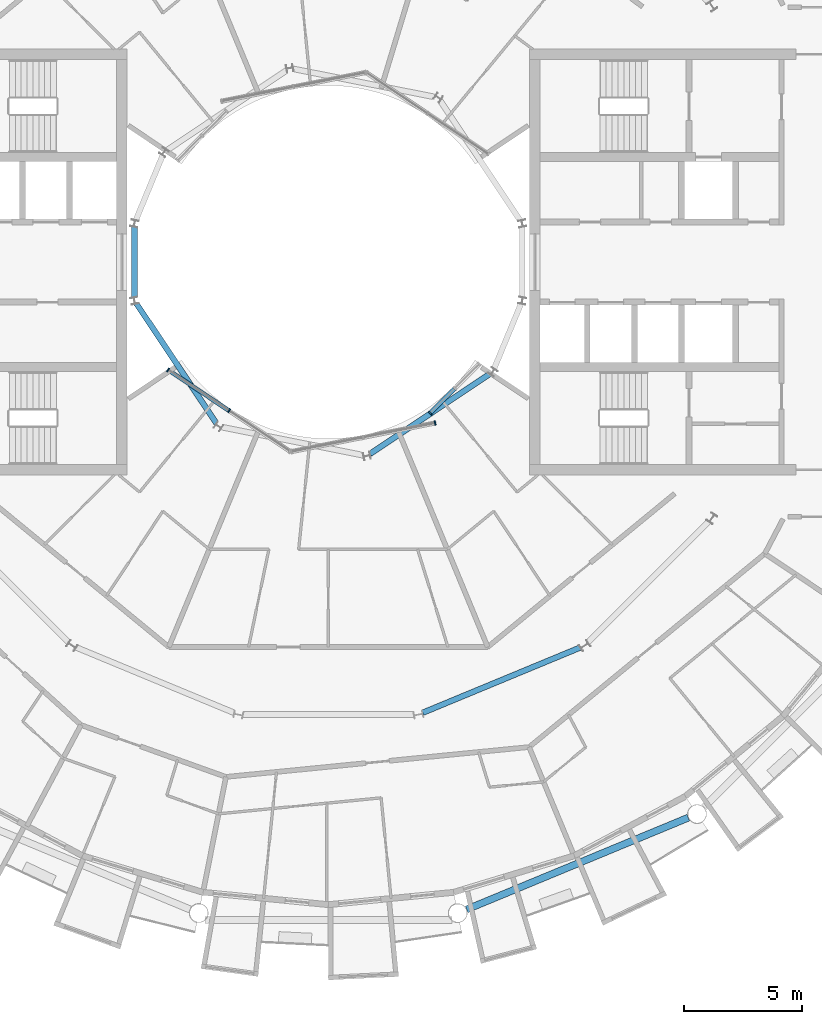
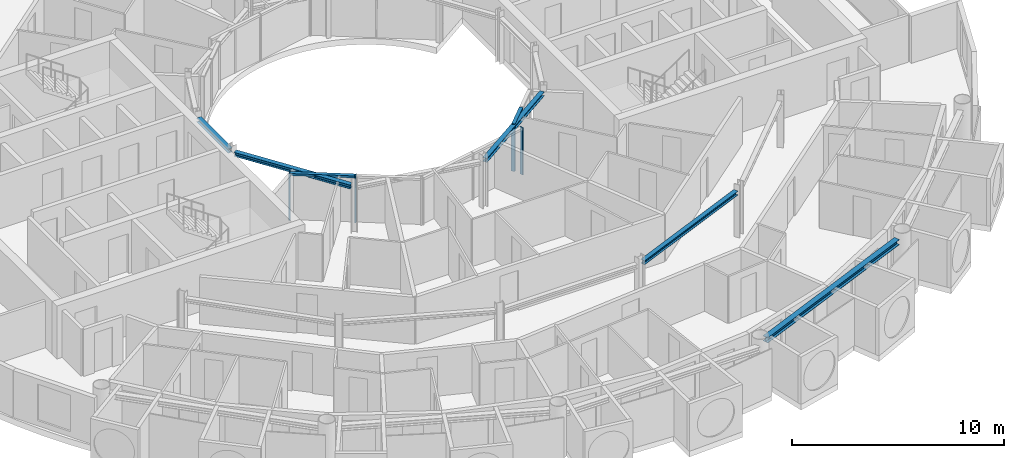
# One storey, part 7 of 29: 6 members, 5 beams, 3 elements without a shape of their own.
"""IFC4 building model written with IfcOpenShell, lengths in metres."""

from ifc_helpers import new_model, si_unit, direction, frame, origin, origin_2d, place, context, subcontext, project, spatial, rectangle, i_section, extrude, material, layer, layer_set, material_profile, profile_set, type_object, element, aggregate, save


model = new_model("IFC4")

# Units and contexts
model_context = context("Model", 3, precision=1e-05, world=origin(), true_north=direction((0.0, 1.0)))
body_context = subcontext(model_context, "Body", "Model", "MODEL_VIEW")
ifc_project = project(units=[si_unit("LENGTHUNIT", "METRE"), si_unit("AREAUNIT", "SQUARE_METRE"), si_unit("VOLUMEUNIT", "CUBIC_METRE"), si_unit("PLANEANGLEUNIT", "RADIAN"), si_unit("MASSUNIT", "GRAM", prefix="KILO")], contexts=[model_context])

# Site, building, storey
site_placement = place(None, origin())
site = spatial("IfcSite", under=ifc_project, at=site_placement, CompositionType="ELEMENT")
building_placement = place(site_placement, origin())
building = spatial("IfcBuilding", under=site, at=building_placement, Name="Maasbend Ring Residences", CompositionType="ELEMENT")
storey_placement = place(building_placement, frame((0.0, 0.0, 202.39990234375)))
storey = spatial("IfcBuildingStorey", under=building, at=storey_placement, Name="L58", CompositionType="ELEMENT", Elevation=202.39990234375)

# Curtain wall, members
ifc_material_1 = material(Name="Aluminium and clear glass", Category="aluminium")
ifc_layer = layer(ifc_material_1, 0.179931640625)
ifc_layer_set = layer_set([ifc_layer], Name="CW-W")
curtain_wall_type = type_object("IfcCurtainWallType", Name="CW-W", PredefinedType="NOTDEFINED", material=ifc_layer_set)
curtain_wall_1_placement = place(storey_placement, origin())
curtain_wall_1 = element("IfcCurtainWall", 1, at=curtain_wall_1_placement, inside=storey, type_object=curtain_wall_type, Name="Well curtain wall S1", PredefinedType="NOTDEFINED")
ifc_material_2 = material(Name="Aluminium 6063-T6", Category="aluminium")
ifc_material_profile_1 = material_profile(ifc_material_2, rectangle(XDim=0.179931640625, YDim=0.06005859375, at=origin_2d()), Name="AL 180x60")
ifc_profile_set_1 = profile_set([ifc_material_profile_1], Name="Aluminium 6063-T6")
member_type_1 = type_object("IfcMemberType", Name="CWM-W", PredefinedType="MULLION", material=ifc_profile_set_1)
member_1_placement = place(storey_placement, frame((-6.805908203125, -4.580810546875, 0.0), z_axis=(0.0, 0.0, 1.0), x_axis=(0.55557023302, 0.831469612303, 0.0)))
member_1 = element("IfcMember", 2, at=member_1_placement, type_object=member_type_1, Name="Mullion well face", PredefinedType="MULLION", context=body_context, shape_type="SweptSolid", body=[
    extrude(rectangle(XDim=0.179931640625, YDim=0.06005859375, at=origin_2d()), origin(), (0.0, 0.0, 1.0), 2.7001953125),
])
member_2_placement = place(storey_placement, frame((-4.216796875, -6.310791015625, 0.0), z_axis=(0.0, 0.0, 1.0), x_axis=(0.55557023302, 0.831469612303, 0.0)))
member_2 = element("IfcMember", 3, at=member_2_placement, type_object=member_type_1, Name="Mullion well face", PredefinedType="MULLION", context=body_context, shape_type="SweptSolid", body=[
    extrude(rectangle(XDim=0.179931640625, YDim=0.06005859375, at=origin_2d()), origin(), (0.0, 0.0, 1.0), 2.7001953125),
])

# Curtain wall, member
curtain_wall_2_placement = place(storey_placement, origin())
curtain_wall_2 = element("IfcCurtainWall", 4, at=curtain_wall_2_placement, inside=storey, type_object=curtain_wall_type, Name="Well curtain wall S2", PredefinedType="NOTDEFINED")
member_3_placement = place(storey_placement, frame((4.53466796875, -6.836669921875, 0.0), z_axis=(0.0, 0.0, 1.0), x_axis=(-0.195090322016, 0.980785280403, 0.0)))
member_3 = element("IfcMember", 5, at=member_3_placement, type_object=member_type_1, Name="Mullion well face", PredefinedType="MULLION", context=body_context, shape_type="SweptSolid", body=[
    extrude(rectangle(XDim=0.179931640625, YDim=0.06005859375, at=origin_2d()), origin(), (0.0, 0.0, 1.0), 2.7001953125),
])
aggregate(curtain_wall_2, [member_3])

curtain_wall_3_placement = place(storey_placement, origin())
curtain_wall_3 = element("IfcCurtainWall", 6, at=curtain_wall_3_placement, inside=storey, type_object=curtain_wall_type, Name="Well curtain wall S3", PredefinedType="NOTDEFINED")
member_4_placement = place(storey_placement, frame((4.320556640625, -6.413330078125, 0.0), z_axis=(0.0, 0.0, 1.0), x_axis=(-0.707106781187, 0.707106781187, 0.0)))
member_4 = element("IfcMember", 7, at=member_4_placement, type_object=member_type_1, Name="Mullion well face", PredefinedType="MULLION", context=body_context, shape_type="SweptSolid", body=[
    extrude(rectangle(XDim=0.179931640625, YDim=0.06005859375, at=origin_2d()), origin(), (0.0, 0.0, 1.0), 2.7001953125),
])

# Member
ifc_material_3 = material(Name="Aluminium 6063-T6", Category="aluminium")
ifc_material_profile_2 = material_profile(ifc_material_3, rectangle(XDim=0.179931640625, YDim=0.1201171875, at=origin_2d()), Name="AL 180x120")
ifc_profile_set_2 = profile_set([ifc_material_profile_2], Name="Aluminium 6063-T6")
member_type_2 = type_object("IfcMemberType", Name="CWT-W", PredefinedType="USERDEFINED", material=ifc_profile_set_2)
member_5_placement = place(storey_placement, frame((-6.781005859375, -4.59765625, 2.64013671875), z_axis=(0.831496422459, -0.555530106689, 0.0), x_axis=(0.555530106689, 0.831496422459, 0.0)))
member_5 = element("IfcMember", 8, at=member_5_placement, type_object=member_type_2, Name="Transom well face", ObjectType="TRANSOM", PredefinedType="USERDEFINED", context=body_context, shape_type="SweptSolid", body=[
    extrude(rectangle(XDim=0.179931640625, YDim=0.1201171875, at=origin_2d()), origin(), (0.0, 0.0, 1.0), 3.053955078125),
])

aggregate(curtain_wall_1, [member_1, member_2, member_5])

member_6_placement = place(storey_placement, frame((4.341796875, -6.39208984375, 2.64013671875), z_axis=(0.707106781187, 0.707106781187, 0.0), x_axis=(-0.707106781187, 0.707106781187, 0.0)))
member_6 = element("IfcMember", 9, at=member_6_placement, type_object=member_type_2, Name="Transom well face", ObjectType="TRANSOM", PredefinedType="USERDEFINED", context=body_context, shape_type="SweptSolid", body=[
    extrude(rectangle(XDim=0.179931640625, YDim=0.1201171875, at=origin_2d()), origin(), (0.0, 0.0, 1.0), 1.419677734375),
])

aggregate(curtain_wall_3, [member_4, member_6])

# Beams
ifc_material_4 = material(Name="Steel S355J2", Category="steel")
ifc_material_profile_3 = material_profile(ifc_material_4, i_section(OverallWidth=0.239990234375, OverallDepth=0.22998046875, WebThickness=0.007568359375, FlangeThickness=0.011962890625, FilletRadius=0.02099609375, at=origin_2d()), Name="HEA 240")
ifc_profile_set_3 = profile_set([ifc_material_profile_3], Name="Steel S355J2")
beam_type_1 = type_object("IfcBeamType", Name="Corridor ring beam HEA 240", PredefinedType="BEAM", material=ifc_profile_set_3)
beam_1_placement = place(storey_placement, frame((4.01220703125, -19.1455078125, 2.585205078125), z_axis=(0.923865162022, 0.382718123952, 0.0), x_axis=(-0.382718123952, 0.923865162022, 0.0)))
element("IfcBeam", 10, at=beam_1_placement, inside=storey, type_object=beam_type_1, Name="Corridor ring beam", PredefinedType="BEAM", context=body_context, shape_type="SweptSolid", body=[
    extrude(i_section(OverallWidth=0.239990234375, OverallDepth=0.22998046875, WebThickness=0.007568359375, FlangeThickness=0.011962890625, FilletRadius=0.02099609375, at=origin_2d()), origin(), (0.0, 0.0, 1.0), 7.23974609375),
])
ifc_material_5 = material(Name="Steel S355J2", Category="steel")
ifc_material_profile_4 = material_profile(ifc_material_5, i_section(OverallWidth=0.300048828125, OverallDepth=0.300048828125, WebThickness=0.010986328125, FlangeThickness=0.01904296875, FilletRadius=0.027099609375, at=origin_2d()), Name="HEB 300")
ifc_profile_set_4 = profile_set([ifc_material_profile_4], Name="Steel S355J2")
beam_type_2 = type_object("IfcBeamType", Name="Spandrel ring beam HEB 300", PredefinedType="SPANDREL", material=ifc_profile_set_4)
beam_2_placement = place(storey_placement, frame((5.877197265625, -27.50244140625, 2.550048828125), z_axis=(0.923883676188, 0.382673428492, 0.0), x_axis=(-0.382673428492, 0.923883676188, 0.0)))
element("IfcBeam", 11, at=beam_2_placement, inside=storey, type_object=beam_type_2, Name="Spandrel ring beam", PredefinedType="SPANDREL", context=body_context, shape_type="SweptSolid", body=[
    extrude(i_section(OverallWidth=0.300048828125, OverallDepth=0.300048828125, WebThickness=0.010986328125, FlangeThickness=0.01904296875, FilletRadius=0.027099609375, at=origin_2d()), origin(), (0.0, 0.0, 1.0), 10.18994140625),
])
ifc_material_6 = material(Name="Steel S355J2", Category="steel")
ifc_material_profile_5 = material_profile(ifc_material_6, i_section(OverallWidth=0.239990234375, OverallDepth=0.22998046875, WebThickness=0.007568359375, FlangeThickness=0.011962890625, FilletRadius=0.02099609375, at=origin_2d()), Name="HEA 240")
ifc_profile_set_5 = profile_set([ifc_material_profile_5], Name="Steel S355J2")
beam_type_3 = type_object("IfcBeamType", Name="Well edge beam HEA 240", PredefinedType="BEAM", material=ifc_profile_set_5)
beam_3_placement = place(storey_placement, frame((-8.238525390625, 1.490966796875, 2.585205078125), z_axis=(0.0, -1.0, 0.0), x_axis=(1.0, 0.0, 0.0)))
element("IfcBeam", 12, at=beam_3_placement, inside=storey, type_object=beam_type_3, Name="Well edge beam", PredefinedType="BEAM", context=body_context, shape_type="SweptSolid", body=[
    extrude(i_section(OverallWidth=0.239990234375, OverallDepth=0.22998046875, WebThickness=0.007568359375, FlangeThickness=0.011962890625, FilletRadius=0.02099609375, at=origin_2d()), origin(), (0.0, 0.0, 1.0), 2.98193359375),
])
for number, where, z_axis, x_axis, name in (
    (13, (-8.1513671875, -1.769287109375, 2.585205078125), (0.555584356119, -0.831460175376, 0.0), (0.831460175376, 0.555584356119, 0.0), "Well edge beam"),
    (14, (1.769287109375, -8.1513671875, 2.585205078125), (0.831460175376, 0.555584356119, 0.0), (-0.555584356119, 0.831460175376, 0.0), "Well edge beam"),
):
    element("IfcBeam", number, at=place(storey_placement, frame(where, z_axis=z_axis, x_axis=x_axis)), inside=storey, type_object=beam_type_3, Name=name, PredefinedType="BEAM", context=body_context, shape_type="SweptSolid", body=[
        extrude(i_section(OverallWidth=0.239990234375, OverallDepth=0.22998046875, WebThickness=0.007568359375, FlangeThickness=0.011962890625, FilletRadius=0.02099609375, at=origin_2d()), origin(), (0.0, 0.0, 1.0), 6.115234375),
    ])

save(model, "model.ifc")
